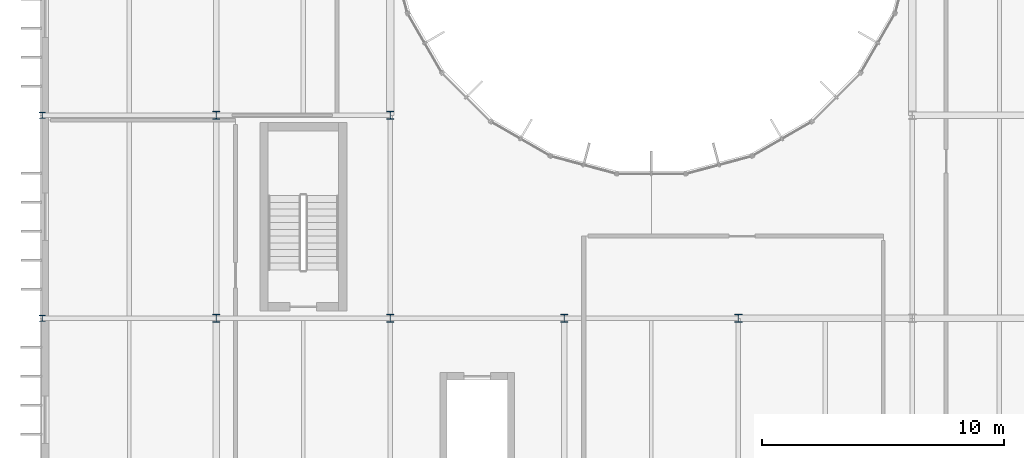
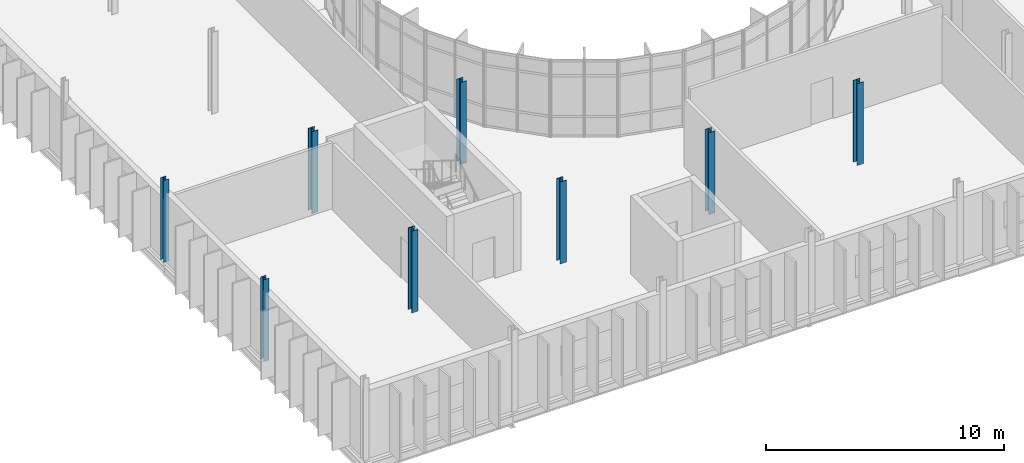
# One storey, part 5 of 61: 8 columns.
"""IFC4 building model written with IfcOpenShell, lengths in metres."""

from ifc_helpers import new_model, si_unit, direction, frame, origin, origin_2d, place, context, subcontext, project, spatial, i_section, extrude, material, material_profile, profile_set, type_object, element, save


model = new_model("IFC4")

# Units and contexts
model_context = context("Model", 3, precision=1e-05, world=origin(), true_north=direction((0.0, 1.0)))
body_context = subcontext(model_context, "Body", "Model", "MODEL_VIEW")
ifc_project = project(units=[si_unit("LENGTHUNIT", "METRE"), si_unit("AREAUNIT", "SQUARE_METRE"), si_unit("VOLUMEUNIT", "CUBIC_METRE"), si_unit("PLANEANGLEUNIT", "RADIAN"), si_unit("MASSUNIT", "GRAM", prefix="KILO")], contexts=[model_context])

# Site, building, storey
site_placement = place(None, origin())
site = spatial("IfcSite", under=ifc_project, at=site_placement, CompositionType="ELEMENT")
building_placement = place(site_placement, origin())
building = spatial("IfcBuilding", under=site, at=building_placement, Name="Qelthora Terrace Specialist Clinic", CompositionType="ELEMENT")
storey_placement = place(building_placement, frame((0.0, 0.0, 13.199951171875)))
storey = spatial("IfcBuildingStorey", under=building, at=storey_placement, Name="L03", CompositionType="ELEMENT", Elevation=13.199951171875)

# Columns
ifc_material = material(Name="Steel S355", Category="steel")
ifc_material_profile_1 = material_profile(ifc_material, i_section(OverallWidth=0.25390625, OverallDepth=0.2529296875, WebThickness=0.008544921875, FlangeThickness=0.01416015625, FilletRadius=0.012939453125, at=origin_2d()), Name="W250X73")
ifc_profile_set_1 = profile_set([ifc_material_profile_1], Name="Steel S355")
column_type_1 = type_object("IfcColumnType", Name="COL-W250X73", PredefinedType="COLUMN", material=ifc_profile_set_1)
column_1_placement = place(storey_placement, frame((0.0, 75.60009765625, 0.0), z_axis=(0.0, 0.0, 1.0), x_axis=(1.0, 0.0, 0.0)))
element("IfcColumn", 1, at=column_1_placement, inside=storey, type_object=column_type_1, Name="Column L03-010", PredefinedType="COLUMN", context=body_context, shape_type="SweptSolid", body=[
    extrude(i_section(OverallWidth=0.25390625, OverallDepth=0.2529296875, WebThickness=0.008544921875, FlangeThickness=0.01416015625, FilletRadius=0.012939453125, at=origin_2d()), origin(), (0.0, 0.0, 1.0), 4.199951171875),
])
ifc_material_profile_2 = material_profile(ifc_material, i_section(OverallWidth=0.2548828125, OverallDepth=0.256103515625, WebThickness=0.009521484375, FlangeThickness=0.015625, FilletRadius=0.012939453125, at=origin_2d()), Name="W250X80")
ifc_profile_set_2 = profile_set([ifc_material_profile_2], Name="Steel S355")
column_type_2 = type_object("IfcColumnType", Name="COL-W250X80", PredefinedType="COLUMN", material=ifc_profile_set_2)
column_2_placement = place(storey_placement, frame((0.0, 67.199951171875, 0.0), z_axis=(0.0, 0.0, 1.0), x_axis=(1.0, 0.0, 0.0)))
element("IfcColumn", 2, at=column_2_placement, inside=storey, type_object=column_type_2, Name="Column L03-009", PredefinedType="COLUMN", context=body_context, shape_type="SweptSolid", body=[
    extrude(i_section(OverallWidth=0.2548828125, OverallDepth=0.256103515625, WebThickness=0.009521484375, FlangeThickness=0.015625, FilletRadius=0.012939453125, at=origin_2d()), origin(), (0.0, 0.0, 1.0), 4.199951171875),
])
ifc_material_profile_3 = material_profile(ifc_material, i_section(OverallWidth=0.30810546875, OverallDepth=0.318115234375, WebThickness=0.01318359375, FlangeThickness=0.0205078125, FilletRadius=0.01611328125, at=origin_2d()), Name="W310X129")
ifc_profile_set_3 = profile_set([ifc_material_profile_3], Name="Steel S355")
column_type_3 = type_object("IfcColumnType", Name="COL-W310X129", PredefinedType="COLUMN", material=ifc_profile_set_3)
for number, where, z_axis, x_axis, name in (
    (3, (7.199951171875, 67.199951171875, 0.0), (0.0, 0.0, 1.0), (1.0, 0.0, 0.0), "Column L03-023"),
    (4, (14.39990234375, 67.199951171875, 0.0), (0.0, 0.0, 1.0), (1.0, 0.0, 0.0), "Column L03-037"),
    (5, (21.60009765625, 67.199951171875, 0.0), (0.0, 0.0, 1.0), (1.0, 0.0, 0.0), "Column L03-051"),
):
    element("IfcColumn", number, at=place(storey_placement, frame(where, z_axis=z_axis, x_axis=x_axis)), inside=storey, type_object=column_type_3, Name=name, PredefinedType="COLUMN", context=body_context, shape_type="SweptSolid", body=[
        extrude(i_section(OverallWidth=0.30810546875, OverallDepth=0.318115234375, WebThickness=0.01318359375, FlangeThickness=0.0205078125, FilletRadius=0.01611328125, at=origin_2d()), origin(), (0.0, 0.0, 1.0), 4.199951171875),
    ])
ifc_material_profile_4 = material_profile(ifc_material, i_section(OverallWidth=0.30908203125, OverallDepth=0.322998046875, WebThickness=0.013916015625, FlangeThickness=0.02294921875, FilletRadius=0.01611328125, at=origin_2d()), Name="W310X143")
ifc_profile_set_4 = profile_set([ifc_material_profile_4], Name="Steel S355")
column_type_4 = type_object("IfcColumnType", Name="COL-W310X143", PredefinedType="COLUMN", material=ifc_profile_set_4)
for number, where, z_axis, x_axis, name in (
    (6, (7.199951171875, 75.60009765625, 0.0), (0.0, 0.0, 1.0), (1.0, 0.0, 0.0), "Column L03-024"),
    (7, (14.39990234375, 75.60009765625, 0.0), (0.0, 0.0, 1.0), (1.0, 0.0, 0.0), "Column L03-038"),
    (8, (28.800048828125, 67.199951171875, 0.0), (0.0, 0.0, 1.0), (1.0, 0.0, 0.0), "Column L03-062"),
):
    element("IfcColumn", number, at=place(storey_placement, frame(where, z_axis=z_axis, x_axis=x_axis)), inside=storey, type_object=column_type_4, Name=name, PredefinedType="COLUMN", context=body_context, shape_type="SweptSolid", body=[
        extrude(i_section(OverallWidth=0.30908203125, OverallDepth=0.322998046875, WebThickness=0.013916015625, FlangeThickness=0.02294921875, FilletRadius=0.01611328125, at=origin_2d()), origin(), (0.0, 0.0, 1.0), 4.199951171875),
    ])

save(model, "model.ifc")
